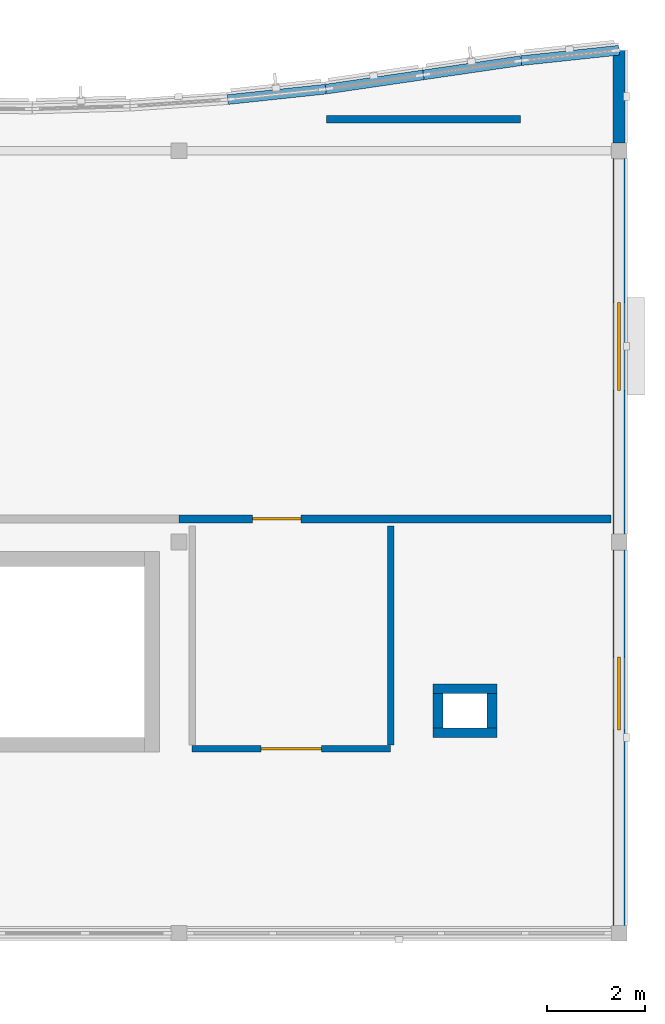
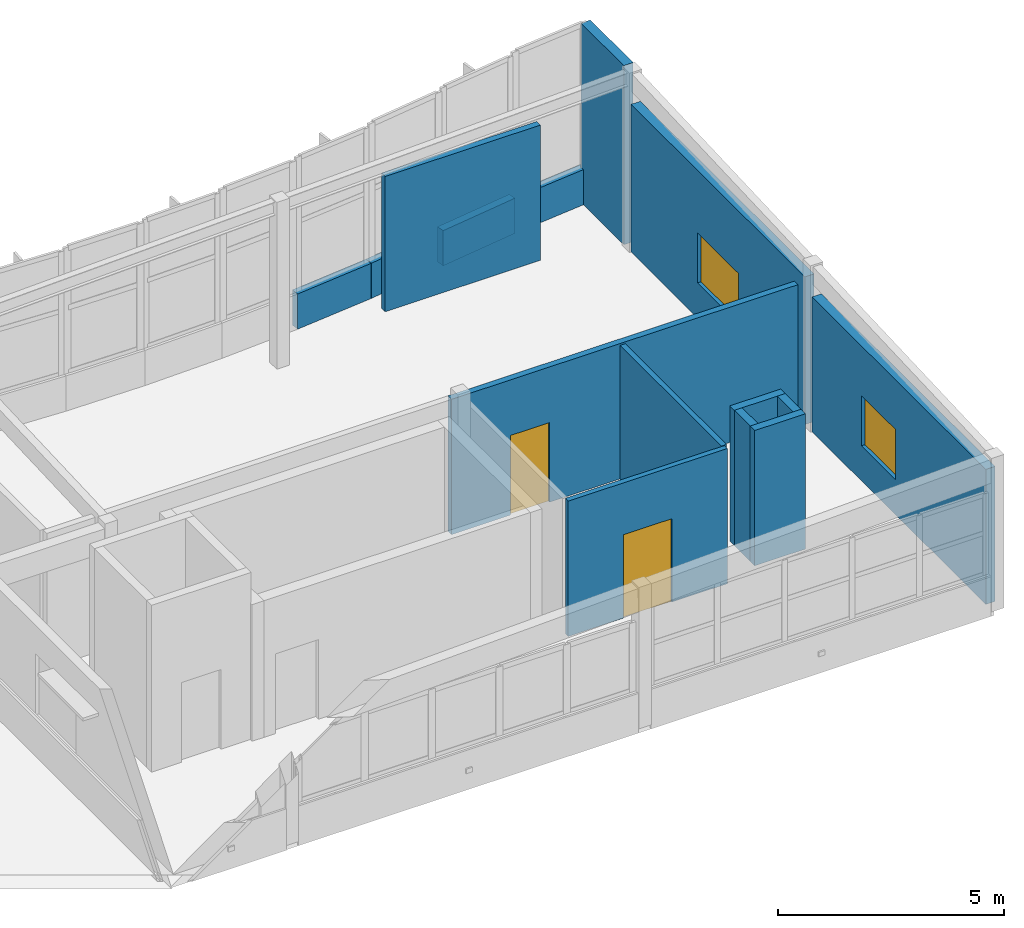
# One storey, part 15 of 20: 15 walls, 2 doors, 2 windows, 4 openings.
"""IFC4 building model written with IfcOpenShell, lengths in metres."""

from ifc_helpers import new_model, si_unit, direction, frame, frame_2d, origin, place, context, subcontext, project, spatial, rectangle, extrude, material, layer, layer_set, type_object, element, fill, save


model = new_model("IFC4")

# Units and contexts
model_context = context("Model", 3, precision=1e-05, world=origin(), true_north=direction((0.0, 1.0)))
body_context = subcontext(model_context, "Body", "Model", "MODEL_VIEW")
ifc_project = project(units=[si_unit("LENGTHUNIT", "METRE"), si_unit("AREAUNIT", "SQUARE_METRE"), si_unit("VOLUMEUNIT", "CUBIC_METRE"), si_unit("PLANEANGLEUNIT", "RADIAN"), si_unit("MASSUNIT", "GRAM", prefix="KILO")], contexts=[model_context])

# Site, building, storey
site_placement = place(None, origin())
site = spatial("IfcSite", under=ifc_project, at=site_placement, CompositionType="ELEMENT")
building_placement = place(site_placement, origin())
building = spatial("IfcBuilding", under=site, at=building_placement, Name="Tonlespit Floodbar School", CompositionType="ELEMENT")
storey_placement = place(building_placement, frame((0.0, 0.0, 20.10009765625)))
storey = spatial("IfcBuildingStorey", under=building, at=storey_placement, Name="L05", CompositionType="ELEMENT", Elevation=20.10009765625)

# Wall, opening, window
ifc_material_1 = material(Name="Precast concrete C40/50", Category="concrete")
ifc_layer_1 = layer(ifc_material_1, 0.239990234375)
ifc_layer_set_1 = layer_set([ifc_layer_1], Name="Precast concrete C40/50")
wall_type_1 = type_object("IfcWallType", Name="ExtWall_Rainscreen_240", PredefinedType="SOLIDWALL", material=ifc_layer_set_1)
wall_1_placement = place(storey_placement, frame((116.0, 111.840087890625, 0.0), z_axis=(0.0, 0.0, 1.0), x_axis=(0.0, -1.0, 0.0)))
wall_1 = element("IfcWall", 1, at=wall_1_placement, inside=storey, type_object=wall_type_1, Name="L05 external wall 0287", PredefinedType="SOLIDWALL", context=body_context, shape_type="SweptSolid", body=[
    extrude(rectangle(XDim=7.68017578125, YDim=0.239990234375, at=frame_2d((3.840087890625, 0.0))), origin(), (0.0, 0.0, 1.0), 3.638916015625),
])
opening_1_placement = place(wall_1_placement, frame((2.18994140625, 0.0, 0.949951171875)))
opening_1 = element("IfcOpeningElement", 2, at=opening_1_placement, cuts=wall_1, Name="Opening W-L05-017", PredefinedType="OPENING", context=body_context, shape_type="SweptSolid", body=[
    extrude(rectangle(XDim=1.5, YDim=1.35009765625, at=frame_2d((0.75, 0.675048828125))), frame((0.0, 0.1298828125, 0.0), z_axis=(0.0, -1.0, 0.0), x_axis=(1.0, 0.0, 0.0)), (0.0, 0.0, 1.0), 0.260009765625),
])
ifc_material_2 = material(Name="Tempered Double Glazing", Category="glass")
window_type_1 = type_object("IfcWindowType", Name="Win_Mod_1500x1350", PartitioningType="SINGLE_PANEL", PredefinedType="WINDOW", material=ifc_material_2)
window_1_placement = place(opening_1_placement, origin())
window_1 = element("IfcWindow", 3, at=window_1_placement, inside=storey, type_object=window_type_1, Name="L05 window W-L05-017", OverallHeight=1.35009765625, OverallWidth=1.5, PartitioningType="SINGLE_PANEL", PredefinedType="WINDOW", context=body_context, shape_type="SweptSolid", body=[
    extrude(rectangle(XDim=1.5, YDim=1.35009765625, at=frame_2d((0.75, 0.675048828125))), frame((0.0, 0.030029296875, 0.0), z_axis=(0.0, -1.0, 0.0), x_axis=(1.0, 0.0, 0.0)), (0.0, 0.0, 1.0), 0.06005859375),
])
fill(opening_1, window_1)

wall_2_placement = place(storey_placement, frame((116.0, 119.840087890625, 0.0), z_axis=(0.0, 0.0, 1.0), x_axis=(0.0, -1.0, 0.0)))
wall_2 = element("IfcWall", 4, at=wall_2_placement, inside=storey, type_object=wall_type_1, Name="L05 external wall 0288", PredefinedType="SOLIDWALL", context=body_context, shape_type="SweptSolid", body=[
    extrude(rectangle(XDim=7.68017578125, YDim=0.239990234375, at=frame_2d((3.840087890625, 0.0))), origin(), (0.0, 0.0, 1.0), 3.984375),
])
opening_2_placement = place(wall_2_placement, frame((2.93994140625, 0.0, 0.949951171875)))
opening_2 = element("IfcOpeningElement", 5, at=opening_2_placement, cuts=wall_2, Name="Opening W-L05-018", PredefinedType="OPENING", context=body_context, shape_type="SweptSolid", body=[
    extrude(rectangle(XDim=1.800048828125, YDim=1.35009765625, at=frame_2d((0.89990234375, 0.675048828125))), frame((0.0, 0.1298828125, 0.0), z_axis=(0.0, -1.0, 0.0), x_axis=(1.0, 0.0, 0.0)), (0.0, 0.0, 1.0), 0.260009765625),
])
window_type_2 = type_object("IfcWindowType", Name="Win_Mod_1800x1350", PartitioningType="DOUBLE_PANEL_VERTICAL", PredefinedType="WINDOW", material=ifc_material_2)
window_2_placement = place(opening_2_placement, origin())
window_2 = element("IfcWindow", 6, at=window_2_placement, inside=storey, type_object=window_type_2, Name="L05 window W-L05-018", OverallHeight=1.35009765625, OverallWidth=1.800048828125, PartitioningType="DOUBLE_PANEL_VERTICAL", PredefinedType="WINDOW", context=body_context, shape_type="SweptSolid", body=[
    extrude(rectangle(XDim=1.800048828125, YDim=1.35009765625, at=frame_2d((0.89990234375, 0.675048828125))), frame((0.0, 0.030029296875, 0.0), z_axis=(0.0, -1.0, 0.0), x_axis=(1.0, 0.0, 0.0)), (0.0, 0.0, 1.0), 0.06005859375),
])
fill(opening_2, window_2)

# Walls
wall_3_placement = place(storey_placement, frame((116.0, 122.05419921875, 0.0), z_axis=(0.0, 0.0, 1.0), x_axis=(0.0, -1.0, 0.0)))
element("IfcWall", 7, at=wall_3_placement, inside=storey, type_object=wall_type_1, Name="L05 external wall 0289", PredefinedType="SOLIDWALL", context=body_context, shape_type="SweptSolid", body=[
    extrude(rectangle(XDim=1.894287109375, YDim=0.239990234375, at=frame_2d((0.947265625, 0.0))), origin(), (0.0, 0.0, 1.0), 4.83251953125),
])
ifc_material_3 = material(Name="White Architectural Precast concrete C40/50", Category="concrete")
ifc_layer_2 = layer(ifc_material_3, 0.199951171875)
ifc_layer_set_2 = layer_set([ifc_layer_2], Name="White Architectural Precast concrete C40/50")
wall_type_2 = type_object("IfcWallType", Name="ExtWall_Spandrel_White_200", PredefinedType="SOLIDWALL", material=ifc_layer_set_2)
wall_4_placement = place(storey_placement, frame((108.0, 121.045654296875, 0.0), z_axis=(0.0, 0.0, 1.0), x_axis=(0.994395160059, 0.105727317433, 0.0)))
element("IfcWall", 8, at=wall_4_placement, inside=storey, type_object=wall_type_2, Name="L05 spandrel wall 0268", PredefinedType="SOLIDWALL", context=body_context, shape_type="SweptSolid", body=[
    extrude(rectangle(XDim=2.01123046875, YDim=0.199951171875, at=frame_2d((1.005615234375, 0.0))), origin(), (0.0, 0.0, 1.0), 0.949951171875),
])
for number, where, z_axis, x_axis, name in (
    (9, (110.0, 121.25830078125, 0.0), (0.0, 0.0, 1.0), (0.989527230727, 0.144346318447, 0.0), "L05 spandrel wall 0269"),
    (10, (112.0, 121.550048828125, 0.0), (0.0, 0.0, 1.0), (0.989544477223, 0.144228040259, 0.0), "L05 spandrel wall 0270"),
):
    element("IfcWall", number, at=place(storey_placement, frame(where, z_axis=z_axis, x_axis=x_axis)), inside=storey, type_object=wall_type_2, Name=name, PredefinedType="SOLIDWALL", context=body_context, shape_type="SweptSolid", body=[
        extrude(rectangle(XDim=2.021240234375, YDim=0.199951171875, at=frame_2d((1.0107421875, 0.0))), origin(), (0.0, 0.0, 1.0), 0.949951171875),
    ])
wall_5_placement = place(storey_placement, frame((114.0, 121.841552734375, 0.0), z_axis=(0.0, 0.0, 1.0), x_axis=(0.994395160059, 0.105727317433, 0.0)))
element("IfcWall", 11, at=wall_5_placement, inside=storey, type_object=wall_type_2, Name="L05 spandrel wall 0271", PredefinedType="SOLIDWALL", context=body_context, shape_type="SweptSolid", body=[
    extrude(rectangle(XDim=2.01123046875, YDim=0.199951171875, at=frame_2d((1.005615234375, 0.0))), origin(), (0.0, 0.0, 1.0), 0.949951171875),
])

# Wall, opening, door
ifc_material_4 = material(Name="Gypsum Plasterboard Partition")
ifc_layer_3 = layer(ifc_material_4, 0.159912109375)
ifc_layer_set_3 = layer_set([ifc_layer_3], Name="Gypsum Plasterboard Partition")
wall_type_3 = type_object("IfcWallType", Name="FireWall_Lab_160", PredefinedType="PARTITIONING", material=ifc_layer_set_3)
wall_6_placement = place(storey_placement, frame((107.0, 112.469970703125, 0.0), z_axis=(0.0, 0.0, 1.0), x_axis=(1.0, 0.0, 0.0)))
wall_6 = element("IfcWall", 12, at=wall_6_placement, inside=storey, type_object=wall_type_3, Name="L05 partition wall 0143", PredefinedType="PARTITIONING", context=body_context, shape_type="SweptSolid", body=[
    extrude(rectangle(XDim=8.837890625, YDim=0.159912109375, at=frame_2d((4.4189453125, 0.0))), origin(), (0.0, 0.0, 1.0), 3.64990234375),
])
opening_3_placement = place(wall_6_placement, frame((1.5, 0.0, 0.0)))
opening_3 = element("IfcOpeningElement", 13, at=opening_3_placement, cuts=wall_6, Name="Opening D-L05-045", PredefinedType="OPENING", context=body_context, shape_type="SweptSolid", body=[
    extrude(rectangle(XDim=1.0, YDim=2.14990234375, at=frame_2d((0.5, 1.074951171875))), frame((0.0, 0.08984375, 0.0), z_axis=(0.0, -1.0, 0.0), x_axis=(1.0, 0.0, 0.0)), (0.0, 0.0, 1.0), 0.179931640625),
])
ifc_material_5 = material(Name="Hardwood Timber", Category="wood")
door_type_1 = type_object("IfcDoorType", Name="FireDoor_Compartment_1000x2150", OperationType="NOTDEFINED", PredefinedType="DOOR", material=ifc_material_5)
door_1_placement = place(opening_3_placement, origin())
door_1 = element("IfcDoor", 14, at=door_1_placement, inside=storey, type_object=door_type_1, Name="L05 interior door D-L05-045", OperationType="SINGLE_SWING_RIGHT", OverallHeight=2.14990234375, OverallWidth=1.0, PredefinedType="DOOR", context=body_context, shape_type="SweptSolid", body=[
    extrude(rectangle(XDim=1.0, YDim=2.14990234375, at=frame_2d((0.5, 1.074951171875))), frame((0.0, 0.02490234375, 0.0), z_axis=(0.0, -1.0, 0.0), x_axis=(1.0, 0.0, 0.0)), (0.0, 0.0, 1.0), 0.050048828125),
])
fill(opening_3, door_1)

# Walls
wall_7_placement = place(storey_placement, frame((110.02001953125, 120.64208984375, 0.0), z_axis=(0.0, 0.0, 1.0), x_axis=(1.0, 0.0, 0.0)))
element("IfcWall", 15, at=wall_7_placement, inside=storey, type_object=wall_type_3, Name="L05 partition wall 0144", PredefinedType="PARTITIONING", context=body_context, shape_type="SweptSolid", body=[
    extrude(rectangle(XDim=3.9599609375, YDim=0.159912109375, at=frame_2d((1.97998046875, 0.0))), origin(), (0.0, 0.0, 1.0), 3.64990234375),
])
ifc_material_6 = material(Name="Concrete C40/50", Category="concrete")
ifc_layer_4 = layer(ifc_material_6, 0.199951171875)
ifc_layer_set_4 = layer_set([ifc_layer_4], Name="Concrete C40/50")
wall_type_4 = type_object("IfcWallType", Name="FireWall_Plant_200", PredefinedType="PARTITIONING", material=ifc_layer_set_4)
for number, where, z_axis, x_axis, name in (
    (16, (113.5, 108.10009765625, 0.0), (0.0, 0.0, 1.0), (-1.0, 0.0, 0.0), "L05 service riser 02 wall S"),
    (17, (112.199951171875, 109.0, 0.0), (0.0, 0.0, 1.0), (1.0, 0.0, 0.0), "L05 service riser 02 wall N"),
):
    element("IfcWall", number, at=place(storey_placement, frame(where, z_axis=z_axis, x_axis=x_axis)), inside=storey, type_object=wall_type_4, Name=name, PredefinedType="PARTITIONING", context=body_context, shape_type="SweptSolid", body=[
        extrude(rectangle(XDim=1.300048828125, YDim=0.199951171875, at=frame_2d((0.64990234375, 0.0))), origin(), (0.0, 0.0, 1.0), 3.64990234375),
    ])
for number, where, z_axis, x_axis, name in (
    (18, (112.300048828125, 108.199951171875, 0.0), (0.0, 0.0, 1.0), (0.0, 1.0, 0.0), "L05 service riser 02 wall W"),
    (19, (113.39990234375, 108.89990234375, 0.0), (0.0, 0.0, 1.0), (0.0, -1.0, 0.0), "L05 service riser 02 wall E"),
):
    element("IfcWall", number, at=place(storey_placement, frame(where, z_axis=z_axis, x_axis=x_axis)), inside=storey, type_object=wall_type_4, Name=name, PredefinedType="PARTITIONING", context=body_context, shape_type="SweptSolid", body=[
        extrude(rectangle(XDim=0.699951171875, YDim=0.199951171875, at=frame_2d((0.35009765625, 0.0))), origin(), (0.0, 0.0, 1.0), 3.64990234375),
    ])

# Wall, opening, door
ifc_layer_5 = layer(ifc_material_4, 0.1298828125)
ifc_layer_set_5 = layer_set([ifc_layer_5], Name="Gypsum Plasterboard Partition")
wall_type_5 = type_object("IfcWallType", Name="Partition_Gyp_130", PredefinedType="PARTITIONING", material=ifc_layer_set_5)
wall_8_placement = place(storey_placement, frame((107.27001953125, 107.77001953125, 0.0), z_axis=(0.0, 0.0, 1.0), x_axis=(1.0, 0.0, 0.0)))
wall_8 = element("IfcWall", 20, at=wall_8_placement, inside=storey, type_object=wall_type_5, Name="L05 partition wall 0146", PredefinedType="PARTITIONING", context=body_context, shape_type="SweptSolid", body=[
    extrude(rectangle(XDim=4.06005859375, YDim=0.1298828125, at=frame_2d((2.030029296875, 0.0))), origin(), (0.0, 0.0, 1.0), 3.64990234375),
])
opening_4_placement = place(wall_8_placement, frame((1.409912109375, 0.0, 0.0)))
opening_4 = element("IfcOpeningElement", 21, at=opening_4_placement, cuts=wall_8, Name="Opening D-L05-046", PredefinedType="OPENING", context=body_context, shape_type="SweptSolid", body=[
    extrude(rectangle(XDim=1.239990234375, YDim=2.25, at=frame_2d((0.6201171875, 1.125))), frame((0.0, 0.074951171875, 0.0), z_axis=(0.0, -1.0, 0.0), x_axis=(1.0, 0.0, 0.0)), (0.0, 0.0, 1.0), 0.14990234375),
])
door_type_2 = type_object("IfcDoorType", Name="IntDoor_1240x2250", OperationType="NOTDEFINED", PredefinedType="DOOR", material=ifc_material_5)
door_2_placement = place(opening_4_placement, origin())
door_2 = element("IfcDoor", 22, at=door_2_placement, inside=storey, type_object=door_type_2, Name="L05 interior door D-L05-046", OperationType="SINGLE_SWING_LEFT", OverallHeight=2.25, OverallWidth=1.239990234375, PredefinedType="DOOR", context=body_context, shape_type="SweptSolid", body=[
    extrude(rectangle(XDim=1.239990234375, YDim=2.25, at=frame_2d((0.6201171875, 1.125))), frame((0.0, 0.02490234375, 0.0), z_axis=(0.0, -1.0, 0.0), x_axis=(1.0, 0.0, 0.0)), (0.0, 0.0, 1.0), 0.050048828125),
])
fill(opening_4, door_2)

# Wall
wall_9_placement = place(storey_placement, frame((111.330078125, 107.85009765625, 0.0), z_axis=(0.0, 0.0, 1.0), x_axis=(0.0, 1.0, 0.0)))
element("IfcWall", 23, at=wall_9_placement, inside=storey, type_object=wall_type_5, Name="L05 partition wall 0148", PredefinedType="PARTITIONING", context=body_context, shape_type="SweptSolid", body=[
    extrude(rectangle(XDim=4.47998046875, YDim=0.1298828125, at=frame_2d((2.239990234375, 0.0))), origin(), (0.0, 0.0, 1.0), 3.64990234375),
])

save(model, "model.ifc")
